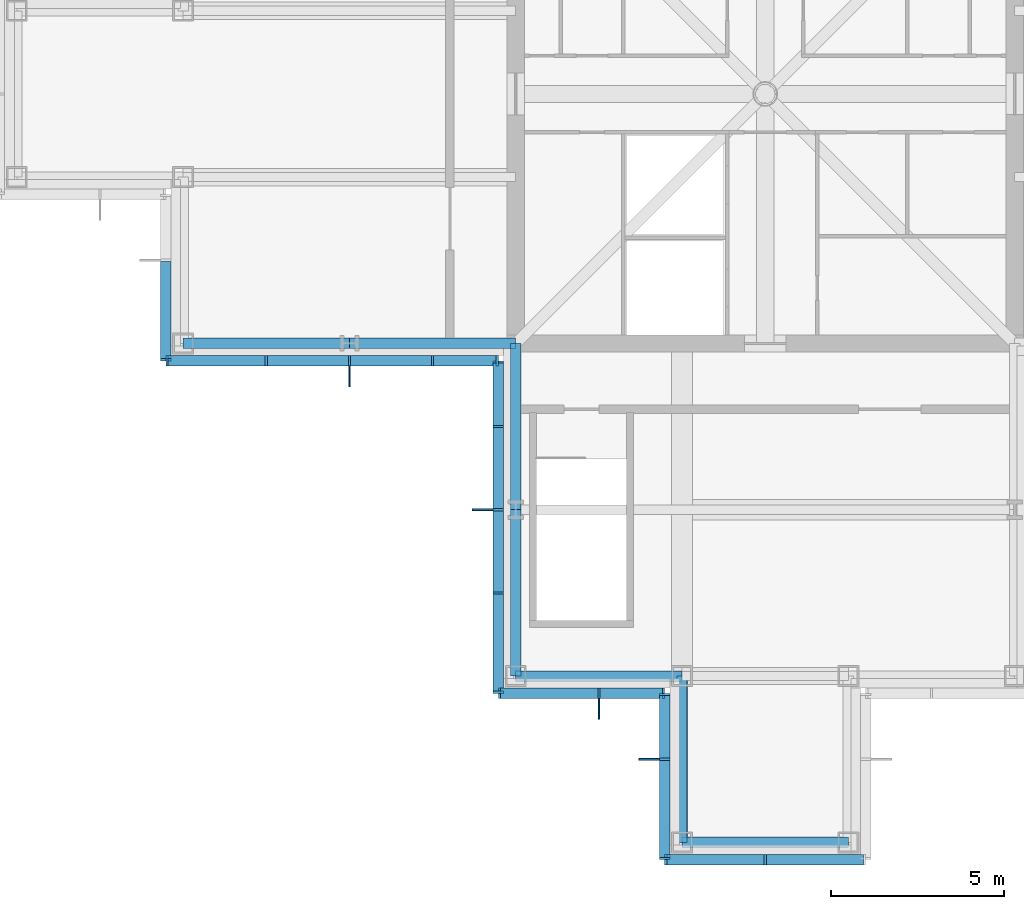
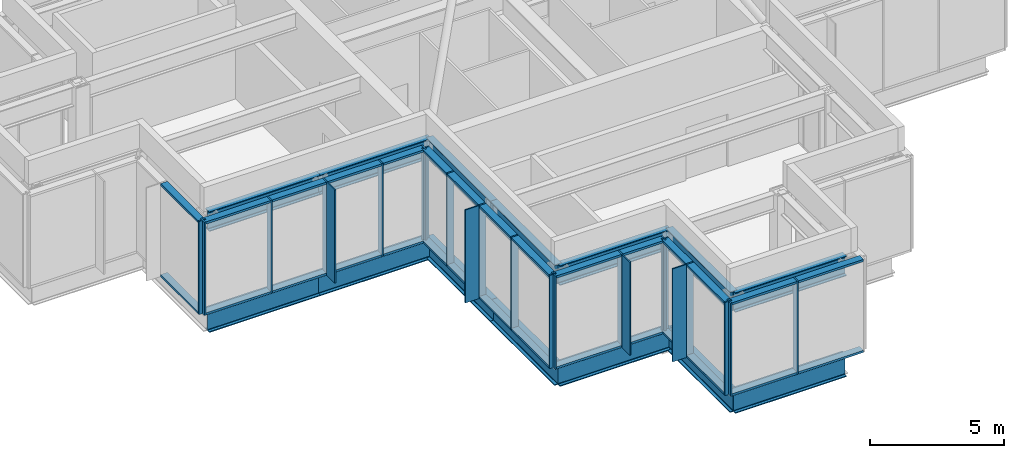
# One storey, part 2 of 10: 53 members, 14 beams, 6 elements without a shape of their own.
"""IFC4 building model written with IfcOpenShell, lengths in metres."""

from ifc_helpers import new_model, si_unit, direction, frame, origin, origin_2d, place, context, subcontext, project, spatial, rectangle, i_section, extrude, material, material_profile, profile_set, type_object, element, aggregate, save


model = new_model("IFC4")

# Units and contexts
model_context = context("Model", 3, precision=1e-05, world=origin(), true_north=direction((0.0, 1.0)))
body_context = subcontext(model_context, "Body", "Model", "MODEL_VIEW")
ifc_project = project(units=[si_unit("LENGTHUNIT", "METRE"), si_unit("AREAUNIT", "SQUARE_METRE"), si_unit("VOLUMEUNIT", "CUBIC_METRE"), si_unit("PLANEANGLEUNIT", "RADIAN"), si_unit("MASSUNIT", "GRAM", prefix="KILO")], contexts=[model_context])

# Site, building, storey
site_placement = place(None, origin())
site = spatial("IfcSite", under=ifc_project, at=site_placement, CompositionType="ELEMENT")
building_placement = place(site_placement, origin())
building = spatial("IfcBuilding", under=site, at=building_placement, Name="Kvirike Care Tower", CompositionType="ELEMENT")
storey_placement = place(building_placement, frame((0.0, 0.0, 248.0)))
storey = spatial("IfcBuildingStorey", under=building, at=storey_placement, Name="L68", CompositionType="ELEMENT", Elevation=248.0)

# Curtain wall, member
ifc_material_1 = material(Name="Anodised aluminium stick system", Category="aluminium")
curtain_wall_type = type_object("IfcCurtainWallType", Name="CW-L LOUVRED PLANT SCREEN", PredefinedType="NOTDEFINED", material=ifc_material_1)
curtain_wall_1_placement = place(storey_placement, origin())
curtain_wall_1 = element("IfcCurtainWall", 1, at=curtain_wall_1_placement, inside=storey, type_object=curtain_wall_type, Name="Curtain wall L68 face 13", PredefinedType="NOTDEFINED")
ifc_material_2 = material(Name="Bronze anodised aluminium fin", Category="aluminium")
ifc_material_profile_1 = material_profile(ifc_material_2, rectangle(XDim=0.050048828125, YDim=0.60009765625, at=origin_2d()), Name="BRONZE FIN 600")
ifc_profile_set_1 = profile_set([ifc_material_profile_1], Name="Bronze anodised aluminium fin")
member_type_1 = type_object("IfcMemberType", Name="BRONZE FIN 600", PredefinedType="USERDEFINED", material=ifc_profile_set_1)
member_1_placement = place(storey_placement, frame((9.60009765625, 27.85009765625, 0.0), z_axis=(0.0, 0.0, 1.0), x_axis=(1.0, 0.0, 0.0)))
member_1 = element("IfcMember", 2, at=member_1_placement, type_object=member_type_1, Name="Bronze fin L68 face 13.3", ObjectType="FIN", PredefinedType="USERDEFINED", context=body_context, shape_type="SweptSolid", body=[
    extrude(rectangle(XDim=0.050048828125, YDim=0.60009765625, at=origin_2d()), origin(), (0.0, 0.0, 1.0), 4.25),
])

curtain_wall_2_placement = place(storey_placement, origin())
curtain_wall_2 = element("IfcCurtainWall", 3, at=curtain_wall_2_placement, inside=storey, type_object=curtain_wall_type, Name="Curtain wall L68 face 14", PredefinedType="NOTDEFINED")
member_2_placement = place(storey_placement, frame((13.449951171875, 24.0, 0.0), z_axis=(0.0, 0.0, 1.0), x_axis=(0.0, -1.0, 0.0)))
member_2 = element("IfcMember", 4, at=member_2_placement, type_object=member_type_1, Name="Bronze fin L68 face 14.3", ObjectType="FIN", PredefinedType="USERDEFINED", context=body_context, shape_type="SweptSolid", body=[
    extrude(rectangle(XDim=0.050048828125, YDim=0.60009765625, at=origin_2d()), origin(), (0.0, 0.0, 1.0), 4.25),
])

curtain_wall_3_placement = place(storey_placement, origin())
curtain_wall_3 = element("IfcCurtainWall", 5, at=curtain_wall_3_placement, inside=storey, type_object=curtain_wall_type, Name="Curtain wall L68 face 15", PredefinedType="NOTDEFINED")
member_3_placement = place(storey_placement, frame((16.800048828125, 18.25, 0.0), z_axis=(0.0, 0.0, 1.0), x_axis=(1.0, 0.0, 0.0)))
member_3 = element("IfcMember", 6, at=member_3_placement, type_object=member_type_1, Name="Bronze fin L68 face 15.2", ObjectType="FIN", PredefinedType="USERDEFINED", context=body_context, shape_type="SweptSolid", body=[
    extrude(rectangle(XDim=0.050048828125, YDim=0.60009765625, at=origin_2d()), origin(), (0.0, 0.0, 1.0), 4.25),
])

curtain_wall_4_placement = place(storey_placement, origin())
curtain_wall_4 = element("IfcCurtainWall", 7, at=curtain_wall_4_placement, inside=storey, type_object=curtain_wall_type, Name="Curtain wall L68 face 16", PredefinedType="NOTDEFINED")
member_4_placement = place(storey_placement, frame((18.25, 16.800048828125, 0.0), z_axis=(0.0, 0.0, 1.0), x_axis=(0.0, -1.0, 0.0)))
member_4 = element("IfcMember", 8, at=member_4_placement, type_object=member_type_1, Name="Bronze fin L68 face 16.2", ObjectType="FIN", PredefinedType="USERDEFINED", context=body_context, shape_type="SweptSolid", body=[
    extrude(rectangle(XDim=0.050048828125, YDim=0.60009765625, at=origin_2d()), origin(), (0.0, 0.0, 1.0), 4.25),
])

curtain_wall_5_placement = place(storey_placement, origin())
curtain_wall_5 = element("IfcCurtainWall", 9, at=curtain_wall_5_placement, inside=storey, type_object=curtain_wall_type, Name="Curtain wall L68 face 12", PredefinedType="NOTDEFINED")
ifc_material_3 = material(Name="Bronze anodised aluminium mullion", Category="aluminium")
ifc_material_profile_2 = material_profile(ifc_material_3, rectangle(XDim=0.06494140625, YDim=0.300048828125, at=origin_2d()), Name="CW-L MULLION 65x300")
ifc_profile_set_2 = profile_set([ifc_material_profile_2], Name="Bronze anodised aluminium mullion")
member_type_2 = type_object("IfcMemberType", Name="CW-L MULLION 65x300", PredefinedType="MULLION", material=ifc_profile_set_2)
member_5_placement = place(storey_placement, frame((4.300048828125, 28.33251953125, 0.0), z_axis=(0.0, 0.0, 1.0), x_axis=(0.0, -1.0, 0.0)))
member_5 = element("IfcMember", 10, at=member_5_placement, type_object=member_type_2, Name="CW-L mullion L68 face 12.3", PredefinedType="MULLION", context=body_context, shape_type="SweptSolid", body=[
    extrude(rectangle(XDim=0.06494140625, YDim=0.300048828125, at=origin_2d()), origin(), (0.0, 0.0, 1.0), 4.25),
])

# Member
member_6_placement = place(storey_placement, frame((4.33251953125, 28.300048828125, 0.0), z_axis=(0.0, 0.0, 1.0), x_axis=(1.0, 0.0, 0.0)))
member_6 = element("IfcMember", 11, at=member_6_placement, type_object=member_type_2, Name="CW-L mullion L68 face 13.1", PredefinedType="MULLION", context=body_context, shape_type="SweptSolid", body=[
    extrude(rectangle(XDim=0.06494140625, YDim=0.300048828125, at=origin_2d()), origin(), (0.0, 0.0, 1.0), 4.25),
])

member_7_placement = place(storey_placement, frame((7.199951171875, 28.300048828125, 0.0), z_axis=(0.0, 0.0, 1.0), x_axis=(1.0, 0.0, 0.0)))
member_7 = element("IfcMember", 12, at=member_7_placement, type_object=member_type_2, Name="CW-L mullion L68 face 13.2", PredefinedType="MULLION", context=body_context, shape_type="SweptSolid", body=[
    extrude(rectangle(XDim=0.06494140625, YDim=0.300048828125, at=origin_2d()), origin(), (0.0, 0.0, 1.0), 4.25),
])

member_8_placement = place(storey_placement, frame((9.60009765625, 28.300048828125, 0.0), z_axis=(0.0, 0.0, 1.0), x_axis=(1.0, 0.0, 0.0)))
member_8 = element("IfcMember", 13, at=member_8_placement, type_object=member_type_2, Name="CW-L mullion L68 face 13.3", PredefinedType="MULLION", context=body_context, shape_type="SweptSolid", body=[
    extrude(rectangle(XDim=0.06494140625, YDim=0.300048828125, at=origin_2d()), origin(), (0.0, 0.0, 1.0), 4.25),
])

member_9_placement = place(storey_placement, frame((12.0, 28.300048828125, 0.0), z_axis=(0.0, 0.0, 1.0), x_axis=(1.0, 0.0, 0.0)))
member_9 = element("IfcMember", 14, at=member_9_placement, type_object=member_type_2, Name="CW-L mullion L68 face 13.4", PredefinedType="MULLION", context=body_context, shape_type="SweptSolid", body=[
    extrude(rectangle(XDim=0.06494140625, YDim=0.300048828125, at=origin_2d()), origin(), (0.0, 0.0, 1.0), 4.25),
])

member_10_placement = place(storey_placement, frame((13.867431640625, 28.300048828125, 0.0), z_axis=(0.0, 0.0, 1.0), x_axis=(1.0, 0.0, 0.0)))
member_10 = element("IfcMember", 15, at=member_10_placement, type_object=member_type_2, Name="CW-L mullion L68 face 13.5", PredefinedType="MULLION", context=body_context, shape_type="SweptSolid", body=[
    extrude(rectangle(XDim=0.06494140625, YDim=0.300048828125, at=origin_2d()), origin(), (0.0, 0.0, 1.0), 4.25),
])

member_11_placement = place(storey_placement, frame((13.89990234375, 28.267578125, 0.0), z_axis=(0.0, 0.0, 1.0), x_axis=(0.0, -1.0, 0.0)))
member_11 = element("IfcMember", 16, at=member_11_placement, type_object=member_type_2, Name="CW-L mullion L68 face 14.1", PredefinedType="MULLION", context=body_context, shape_type="SweptSolid", body=[
    extrude(rectangle(XDim=0.06494140625, YDim=0.300048828125, at=origin_2d()), origin(), (0.0, 0.0, 1.0), 4.25),
])

member_12_placement = place(storey_placement, frame((13.89990234375, 26.39990234375, 0.0), z_axis=(0.0, 0.0, 1.0), x_axis=(0.0, -1.0, 0.0)))
member_12 = element("IfcMember", 17, at=member_12_placement, type_object=member_type_2, Name="CW-L mullion L68 face 14.2", PredefinedType="MULLION", context=body_context, shape_type="SweptSolid", body=[
    extrude(rectangle(XDim=0.06494140625, YDim=0.300048828125, at=origin_2d()), origin(), (0.0, 0.0, 1.0), 4.25),
])

member_13_placement = place(storey_placement, frame((13.89990234375, 24.0, 0.0), z_axis=(0.0, 0.0, 1.0), x_axis=(0.0, -1.0, 0.0)))
member_13 = element("IfcMember", 18, at=member_13_placement, type_object=member_type_2, Name="CW-L mullion L68 face 14.3", PredefinedType="MULLION", context=body_context, shape_type="SweptSolid", body=[
    extrude(rectangle(XDim=0.06494140625, YDim=0.300048828125, at=origin_2d()), origin(), (0.0, 0.0, 1.0), 4.25),
])

member_14_placement = place(storey_placement, frame((13.89990234375, 21.60009765625, 0.0), z_axis=(0.0, 0.0, 1.0), x_axis=(0.0, -1.0, 0.0)))
member_14 = element("IfcMember", 19, at=member_14_placement, type_object=member_type_2, Name="CW-L mullion L68 face 14.4", PredefinedType="MULLION", context=body_context, shape_type="SweptSolid", body=[
    extrude(rectangle(XDim=0.06494140625, YDim=0.300048828125, at=origin_2d()), origin(), (0.0, 0.0, 1.0), 4.25),
])

member_15_placement = place(storey_placement, frame((13.89990234375, 18.732421875, 0.0), z_axis=(0.0, 0.0, 1.0), x_axis=(0.0, -1.0, 0.0)))
member_15 = element("IfcMember", 20, at=member_15_placement, type_object=member_type_2, Name="CW-L mullion L68 face 14.5", PredefinedType="MULLION", context=body_context, shape_type="SweptSolid", body=[
    extrude(rectangle(XDim=0.06494140625, YDim=0.300048828125, at=origin_2d()), origin(), (0.0, 0.0, 1.0), 4.25),
])

member_16_placement = place(storey_placement, frame((13.9326171875, 18.699951171875, 0.0), z_axis=(0.0, 0.0, 1.0), x_axis=(1.0, 0.0, 0.0)))
member_16 = element("IfcMember", 21, at=member_16_placement, type_object=member_type_2, Name="CW-L mullion L68 face 15.1", PredefinedType="MULLION", context=body_context, shape_type="SweptSolid", body=[
    extrude(rectangle(XDim=0.06494140625, YDim=0.300048828125, at=origin_2d()), origin(), (0.0, 0.0, 1.0), 4.25),
])

member_17_placement = place(storey_placement, frame((16.800048828125, 18.699951171875, 0.0), z_axis=(0.0, 0.0, 1.0), x_axis=(1.0, 0.0, 0.0)))
member_17 = element("IfcMember", 22, at=member_17_placement, type_object=member_type_2, Name="CW-L mullion L68 face 15.2", PredefinedType="MULLION", context=body_context, shape_type="SweptSolid", body=[
    extrude(rectangle(XDim=0.06494140625, YDim=0.300048828125, at=origin_2d()), origin(), (0.0, 0.0, 1.0), 4.25),
])

member_18_placement = place(storey_placement, frame((18.66748046875, 18.699951171875, 0.0), z_axis=(0.0, 0.0, 1.0), x_axis=(1.0, 0.0, 0.0)))
member_18 = element("IfcMember", 23, at=member_18_placement, type_object=member_type_2, Name="CW-L mullion L68 face 15.3", PredefinedType="MULLION", context=body_context, shape_type="SweptSolid", body=[
    extrude(rectangle(XDim=0.06494140625, YDim=0.300048828125, at=origin_2d()), origin(), (0.0, 0.0, 1.0), 4.25),
])

member_19_placement = place(storey_placement, frame((18.699951171875, 18.66748046875, 0.0), z_axis=(0.0, 0.0, 1.0), x_axis=(0.0, -1.0, 0.0)))
member_19 = element("IfcMember", 24, at=member_19_placement, type_object=member_type_2, Name="CW-L mullion L68 face 16.1", PredefinedType="MULLION", context=body_context, shape_type="SweptSolid", body=[
    extrude(rectangle(XDim=0.06494140625, YDim=0.300048828125, at=origin_2d()), origin(), (0.0, 0.0, 1.0), 4.25),
])

member_20_placement = place(storey_placement, frame((18.699951171875, 16.800048828125, 0.0), z_axis=(0.0, 0.0, 1.0), x_axis=(0.0, -1.0, 0.0)))
member_20 = element("IfcMember", 25, at=member_20_placement, type_object=member_type_2, Name="CW-L mullion L68 face 16.2", PredefinedType="MULLION", context=body_context, shape_type="SweptSolid", body=[
    extrude(rectangle(XDim=0.06494140625, YDim=0.300048828125, at=origin_2d()), origin(), (0.0, 0.0, 1.0), 4.25),
])

member_21_placement = place(storey_placement, frame((18.699951171875, 13.9326171875, 0.0), z_axis=(0.0, 0.0, 1.0), x_axis=(0.0, -1.0, 0.0)))
member_21 = element("IfcMember", 26, at=member_21_placement, type_object=member_type_2, Name="CW-L mullion L68 face 16.3", PredefinedType="MULLION", context=body_context, shape_type="SweptSolid", body=[
    extrude(rectangle(XDim=0.06494140625, YDim=0.300048828125, at=origin_2d()), origin(), (0.0, 0.0, 1.0), 4.25),
])

# Curtain wall, members
curtain_wall_6_placement = place(storey_placement, origin())
curtain_wall_6 = element("IfcCurtainWall", 27, at=curtain_wall_6_placement, inside=storey, type_object=curtain_wall_type, Name="Curtain wall L68 face 17", PredefinedType="NOTDEFINED")
member_22_placement = place(storey_placement, frame((18.732421875, 13.89990234375, 0.0), z_axis=(0.0, 0.0, 1.0), x_axis=(1.0, 0.0, 0.0)))
member_22 = element("IfcMember", 28, at=member_22_placement, type_object=member_type_2, Name="CW-L mullion L68 face 17.1", PredefinedType="MULLION", context=body_context, shape_type="SweptSolid", body=[
    extrude(rectangle(XDim=0.06494140625, YDim=0.300048828125, at=origin_2d()), origin(), (0.0, 0.0, 1.0), 4.25),
])
member_23_placement = place(storey_placement, frame((21.60009765625, 13.89990234375, 0.0), z_axis=(0.0, 0.0, 1.0), x_axis=(1.0, 0.0, 0.0)))
member_23 = element("IfcMember", 29, at=member_23_placement, type_object=member_type_2, Name="CW-L mullion L68 face 17.2", PredefinedType="MULLION", context=body_context, shape_type="SweptSolid", body=[
    extrude(rectangle(XDim=0.06494140625, YDim=0.300048828125, at=origin_2d()), origin(), (0.0, 0.0, 1.0), 4.25),
])

# Member
ifc_material_4 = material(Name="Bronze anodised aluminium transom", Category="aluminium")
ifc_material_profile_3 = material_profile(ifc_material_4, rectangle(XDim=0.300048828125, YDim=0.10009765625, at=origin_2d()), Name="CW-L TRANSOM 300x100")
ifc_profile_set_3 = profile_set([ifc_material_profile_3], Name="Bronze anodised aluminium transom")
member_type_3 = type_object("IfcMemberType", Name="CW-L TRANSOM 300x100", PredefinedType="USERDEFINED", material=ifc_profile_set_3)
member_24_placement = place(storey_placement, frame((4.300048828125, 31.16748046875, 0.050048828125), z_axis=(0.0, -1.0, 0.0), x_axis=(1.0, 0.0, 0.0)))
member_24 = element("IfcMember", 30, at=member_24_placement, type_object=member_type_3, Name="CW-L sill transom L68 face 12.2", ObjectType="TRANSOM", PredefinedType="USERDEFINED", context=body_context, shape_type="SweptSolid", body=[
    extrude(rectangle(XDim=0.300048828125, YDim=0.10009765625, at=origin_2d()), origin(), (0.0, 0.0, 1.0), 2.802490234375),
])

member_25_placement = place(storey_placement, frame((4.300048828125, 31.16748046875, 4.199951171875), z_axis=(0.0, -1.0, 0.0), x_axis=(1.0, 0.0, 0.0)))
member_25 = element("IfcMember", 31, at=member_25_placement, type_object=member_type_3, Name="CW-L head transom L68 face 12.2", ObjectType="TRANSOM", PredefinedType="USERDEFINED", context=body_context, shape_type="SweptSolid", body=[
    extrude(rectangle(XDim=0.300048828125, YDim=0.10009765625, at=origin_2d()), origin(), (0.0, 0.0, 1.0), 2.802490234375),
])

aggregate(curtain_wall_5, [member_5, member_24, member_25])

member_26_placement = place(storey_placement, frame((4.364990234375, 28.300048828125, 0.050048828125), z_axis=(1.0, 0.0, 0.0), x_axis=(0.0, 1.0, 0.0)))
member_26 = element("IfcMember", 32, at=member_26_placement, type_object=member_type_3, Name="CW-L sill transom L68 face 13.1", ObjectType="TRANSOM", PredefinedType="USERDEFINED", context=body_context, shape_type="SweptSolid", body=[
    extrude(rectangle(XDim=0.300048828125, YDim=0.10009765625, at=origin_2d()), origin(), (0.0, 0.0, 1.0), 2.802490234375),
])

member_27_placement = place(storey_placement, frame((4.364990234375, 28.300048828125, 4.199951171875), z_axis=(1.0, 0.0, 0.0), x_axis=(0.0, 1.0, 0.0)))
member_27 = element("IfcMember", 33, at=member_27_placement, type_object=member_type_3, Name="CW-L head transom L68 face 13.1", ObjectType="TRANSOM", PredefinedType="USERDEFINED", context=body_context, shape_type="SweptSolid", body=[
    extrude(rectangle(XDim=0.300048828125, YDim=0.10009765625, at=origin_2d()), origin(), (0.0, 0.0, 1.0), 2.802490234375),
])

member_28_placement = place(storey_placement, frame((7.232421875, 28.300048828125, 0.050048828125), z_axis=(1.0, 0.0, 0.0), x_axis=(0.0, 1.0, 0.0)))
member_28 = element("IfcMember", 34, at=member_28_placement, type_object=member_type_3, Name="CW-L sill transom L68 face 13.2", ObjectType="TRANSOM", PredefinedType="USERDEFINED", context=body_context, shape_type="SweptSolid", body=[
    extrude(rectangle(XDim=0.300048828125, YDim=0.10009765625, at=origin_2d()), origin(), (0.0, 0.0, 1.0), 2.3349609375),
])

member_29_placement = place(storey_placement, frame((7.232421875, 28.300048828125, 4.199951171875), z_axis=(1.0, 0.0, 0.0), x_axis=(0.0, 1.0, 0.0)))
member_29 = element("IfcMember", 35, at=member_29_placement, type_object=member_type_3, Name="CW-L head transom L68 face 13.2", ObjectType="TRANSOM", PredefinedType="USERDEFINED", context=body_context, shape_type="SweptSolid", body=[
    extrude(rectangle(XDim=0.300048828125, YDim=0.10009765625, at=origin_2d()), origin(), (0.0, 0.0, 1.0), 2.3349609375),
])

member_30_placement = place(storey_placement, frame((9.632568359375, 28.300048828125, 0.050048828125), z_axis=(1.0, 0.0, 0.0), x_axis=(0.0, 1.0, 0.0)))
member_30 = element("IfcMember", 36, at=member_30_placement, type_object=member_type_3, Name="CW-L sill transom L68 face 13.3", ObjectType="TRANSOM", PredefinedType="USERDEFINED", context=body_context, shape_type="SweptSolid", body=[
    extrude(rectangle(XDim=0.300048828125, YDim=0.10009765625, at=origin_2d()), origin(), (0.0, 0.0, 1.0), 2.3349609375),
])

member_31_placement = place(storey_placement, frame((9.632568359375, 28.300048828125, 4.199951171875), z_axis=(1.0, 0.0, 0.0), x_axis=(0.0, 1.0, 0.0)))
member_31 = element("IfcMember", 37, at=member_31_placement, type_object=member_type_3, Name="CW-L head transom L68 face 13.3", ObjectType="TRANSOM", PredefinedType="USERDEFINED", context=body_context, shape_type="SweptSolid", body=[
    extrude(rectangle(XDim=0.300048828125, YDim=0.10009765625, at=origin_2d()), origin(), (0.0, 0.0, 1.0), 2.3349609375),
])

member_32_placement = place(storey_placement, frame((12.032470703125, 28.300048828125, 0.050048828125), z_axis=(1.0, 0.0, 0.0), x_axis=(0.0, 1.0, 0.0)))
member_32 = element("IfcMember", 38, at=member_32_placement, type_object=member_type_3, Name="CW-L sill transom L68 face 13.4", ObjectType="TRANSOM", PredefinedType="USERDEFINED", context=body_context, shape_type="SweptSolid", body=[
    extrude(rectangle(XDim=0.300048828125, YDim=0.10009765625, at=origin_2d()), origin(), (0.0, 0.0, 1.0), 1.802490234375),
])

member_33_placement = place(storey_placement, frame((12.032470703125, 28.300048828125, 4.199951171875), z_axis=(1.0, 0.0, 0.0), x_axis=(0.0, 1.0, 0.0)))
member_33 = element("IfcMember", 39, at=member_33_placement, type_object=member_type_3, Name="CW-L head transom L68 face 13.4", ObjectType="TRANSOM", PredefinedType="USERDEFINED", context=body_context, shape_type="SweptSolid", body=[
    extrude(rectangle(XDim=0.300048828125, YDim=0.10009765625, at=origin_2d()), origin(), (0.0, 0.0, 1.0), 1.802490234375),
])

aggregate(curtain_wall_1, [member_6, member_7, member_8, member_1, member_9, member_10, member_26, member_27, member_28, member_29, member_30, member_31, member_32, member_33])

member_34_placement = place(storey_placement, frame((13.89990234375, 28.235107421875, 0.050048828125), z_axis=(0.0, -1.0, 0.0), x_axis=(1.0, 0.0, 0.0)))
member_34 = element("IfcMember", 40, at=member_34_placement, type_object=member_type_3, Name="CW-L sill transom L68 face 14.1", ObjectType="TRANSOM", PredefinedType="USERDEFINED", context=body_context, shape_type="SweptSolid", body=[
    extrude(rectangle(XDim=0.300048828125, YDim=0.10009765625, at=origin_2d()), origin(), (0.0, 0.0, 1.0), 1.802490234375),
])

member_35_placement = place(storey_placement, frame((13.89990234375, 28.235107421875, 4.199951171875), z_axis=(0.0, -1.0, 0.0), x_axis=(1.0, 0.0, 0.0)))
member_35 = element("IfcMember", 41, at=member_35_placement, type_object=member_type_3, Name="CW-L head transom L68 face 14.1", ObjectType="TRANSOM", PredefinedType="USERDEFINED", context=body_context, shape_type="SweptSolid", body=[
    extrude(rectangle(XDim=0.300048828125, YDim=0.10009765625, at=origin_2d()), origin(), (0.0, 0.0, 1.0), 1.802490234375),
])

member_36_placement = place(storey_placement, frame((13.89990234375, 26.367431640625, 0.050048828125), z_axis=(0.0, -1.0, 0.0), x_axis=(1.0, 0.0, 0.0)))
member_36 = element("IfcMember", 42, at=member_36_placement, type_object=member_type_3, Name="CW-L sill transom L68 face 14.2", ObjectType="TRANSOM", PredefinedType="USERDEFINED", context=body_context, shape_type="SweptSolid", body=[
    extrude(rectangle(XDim=0.300048828125, YDim=0.10009765625, at=origin_2d()), origin(), (0.0, 0.0, 1.0), 2.3349609375),
])

member_37_placement = place(storey_placement, frame((13.89990234375, 26.367431640625, 4.199951171875), z_axis=(0.0, -1.0, 0.0), x_axis=(1.0, 0.0, 0.0)))
member_37 = element("IfcMember", 43, at=member_37_placement, type_object=member_type_3, Name="CW-L head transom L68 face 14.2", ObjectType="TRANSOM", PredefinedType="USERDEFINED", context=body_context, shape_type="SweptSolid", body=[
    extrude(rectangle(XDim=0.300048828125, YDim=0.10009765625, at=origin_2d()), origin(), (0.0, 0.0, 1.0), 2.3349609375),
])

member_38_placement = place(storey_placement, frame((13.89990234375, 23.967529296875, 0.050048828125), z_axis=(0.0, -1.0, 0.0), x_axis=(1.0, 0.0, 0.0)))
member_38 = element("IfcMember", 44, at=member_38_placement, type_object=member_type_3, Name="CW-L sill transom L68 face 14.3", ObjectType="TRANSOM", PredefinedType="USERDEFINED", context=body_context, shape_type="SweptSolid", body=[
    extrude(rectangle(XDim=0.300048828125, YDim=0.10009765625, at=origin_2d()), origin(), (0.0, 0.0, 1.0), 2.3349609375),
])

member_39_placement = place(storey_placement, frame((13.89990234375, 23.967529296875, 4.199951171875), z_axis=(0.0, -1.0, 0.0), x_axis=(1.0, 0.0, 0.0)))
member_39 = element("IfcMember", 45, at=member_39_placement, type_object=member_type_3, Name="CW-L head transom L68 face 14.3", ObjectType="TRANSOM", PredefinedType="USERDEFINED", context=body_context, shape_type="SweptSolid", body=[
    extrude(rectangle(XDim=0.300048828125, YDim=0.10009765625, at=origin_2d()), origin(), (0.0, 0.0, 1.0), 2.3349609375),
])

member_40_placement = place(storey_placement, frame((13.89990234375, 21.5673828125, 0.050048828125), z_axis=(0.0, -1.0, 0.0), x_axis=(1.0, 0.0, 0.0)))
member_40 = element("IfcMember", 46, at=member_40_placement, type_object=member_type_3, Name="CW-L sill transom L68 face 14.4", ObjectType="TRANSOM", PredefinedType="USERDEFINED", context=body_context, shape_type="SweptSolid", body=[
    extrude(rectangle(XDim=0.300048828125, YDim=0.10009765625, at=origin_2d()), origin(), (0.0, 0.0, 1.0), 2.802490234375),
])

member_41_placement = place(storey_placement, frame((13.89990234375, 21.5673828125, 4.199951171875), z_axis=(0.0, -1.0, 0.0), x_axis=(1.0, 0.0, 0.0)))
member_41 = element("IfcMember", 47, at=member_41_placement, type_object=member_type_3, Name="CW-L head transom L68 face 14.4", ObjectType="TRANSOM", PredefinedType="USERDEFINED", context=body_context, shape_type="SweptSolid", body=[
    extrude(rectangle(XDim=0.300048828125, YDim=0.10009765625, at=origin_2d()), origin(), (0.0, 0.0, 1.0), 2.802490234375),
])

aggregate(curtain_wall_2, [member_11, member_12, member_13, member_2, member_14, member_15, member_34, member_35, member_36, member_37, member_38, member_39, member_40, member_41])

member_42_placement = place(storey_placement, frame((13.965087890625, 18.699951171875, 0.050048828125), z_axis=(1.0, 0.0, 0.0), x_axis=(0.0, 1.0, 0.0)))
member_42 = element("IfcMember", 48, at=member_42_placement, type_object=member_type_3, Name="CW-L sill transom L68 face 15.1", ObjectType="TRANSOM", PredefinedType="USERDEFINED", context=body_context, shape_type="SweptSolid", body=[
    extrude(rectangle(XDim=0.300048828125, YDim=0.10009765625, at=origin_2d()), origin(), (0.0, 0.0, 1.0), 2.802490234375),
])

member_43_placement = place(storey_placement, frame((13.965087890625, 18.699951171875, 4.199951171875), z_axis=(1.0, 0.0, 0.0), x_axis=(0.0, 1.0, 0.0)))
member_43 = element("IfcMember", 49, at=member_43_placement, type_object=member_type_3, Name="CW-L head transom L68 face 15.1", ObjectType="TRANSOM", PredefinedType="USERDEFINED", context=body_context, shape_type="SweptSolid", body=[
    extrude(rectangle(XDim=0.300048828125, YDim=0.10009765625, at=origin_2d()), origin(), (0.0, 0.0, 1.0), 2.802490234375),
])

member_44_placement = place(storey_placement, frame((16.83251953125, 18.699951171875, 0.050048828125), z_axis=(1.0, 0.0, 0.0), x_axis=(0.0, 1.0, 0.0)))
member_44 = element("IfcMember", 50, at=member_44_placement, type_object=member_type_3, Name="CW-L sill transom L68 face 15.2", ObjectType="TRANSOM", PredefinedType="USERDEFINED", context=body_context, shape_type="SweptSolid", body=[
    extrude(rectangle(XDim=0.300048828125, YDim=0.10009765625, at=origin_2d()), origin(), (0.0, 0.0, 1.0), 1.802490234375),
])

member_45_placement = place(storey_placement, frame((16.83251953125, 18.699951171875, 4.199951171875), z_axis=(1.0, 0.0, 0.0), x_axis=(0.0, 1.0, 0.0)))
member_45 = element("IfcMember", 51, at=member_45_placement, type_object=member_type_3, Name="CW-L head transom L68 face 15.2", ObjectType="TRANSOM", PredefinedType="USERDEFINED", context=body_context, shape_type="SweptSolid", body=[
    extrude(rectangle(XDim=0.300048828125, YDim=0.10009765625, at=origin_2d()), origin(), (0.0, 0.0, 1.0), 1.802490234375),
])

aggregate(curtain_wall_3, [member_16, member_17, member_3, member_18, member_42, member_43, member_44, member_45])

member_46_placement = place(storey_placement, frame((18.699951171875, 18.635009765625, 0.050048828125), z_axis=(0.0, -1.0, 0.0), x_axis=(1.0, 0.0, 0.0)))
member_46 = element("IfcMember", 52, at=member_46_placement, type_object=member_type_3, Name="CW-L sill transom L68 face 16.1", ObjectType="TRANSOM", PredefinedType="USERDEFINED", context=body_context, shape_type="SweptSolid", body=[
    extrude(rectangle(XDim=0.300048828125, YDim=0.10009765625, at=origin_2d()), origin(), (0.0, 0.0, 1.0), 1.802490234375),
])

member_47_placement = place(storey_placement, frame((18.699951171875, 18.635009765625, 4.199951171875), z_axis=(0.0, -1.0, 0.0), x_axis=(1.0, 0.0, 0.0)))
member_47 = element("IfcMember", 53, at=member_47_placement, type_object=member_type_3, Name="CW-L head transom L68 face 16.1", ObjectType="TRANSOM", PredefinedType="USERDEFINED", context=body_context, shape_type="SweptSolid", body=[
    extrude(rectangle(XDim=0.300048828125, YDim=0.10009765625, at=origin_2d()), origin(), (0.0, 0.0, 1.0), 1.802490234375),
])

member_48_placement = place(storey_placement, frame((18.699951171875, 16.767578125, 0.050048828125), z_axis=(0.0, -1.0, 0.0), x_axis=(1.0, 0.0, 0.0)))
member_48 = element("IfcMember", 54, at=member_48_placement, type_object=member_type_3, Name="CW-L sill transom L68 face 16.2", ObjectType="TRANSOM", PredefinedType="USERDEFINED", context=body_context, shape_type="SweptSolid", body=[
    extrude(rectangle(XDim=0.300048828125, YDim=0.10009765625, at=origin_2d()), origin(), (0.0, 0.0, 1.0), 2.802490234375),
])

member_49_placement = place(storey_placement, frame((18.699951171875, 16.767578125, 4.199951171875), z_axis=(0.0, -1.0, 0.0), x_axis=(1.0, 0.0, 0.0)))
member_49 = element("IfcMember", 55, at=member_49_placement, type_object=member_type_3, Name="CW-L head transom L68 face 16.2", ObjectType="TRANSOM", PredefinedType="USERDEFINED", context=body_context, shape_type="SweptSolid", body=[
    extrude(rectangle(XDim=0.300048828125, YDim=0.10009765625, at=origin_2d()), origin(), (0.0, 0.0, 1.0), 2.802490234375),
])

aggregate(curtain_wall_4, [member_19, member_20, member_4, member_21, member_46, member_47, member_48, member_49])

member_50_placement = place(storey_placement, frame((18.764892578125, 13.89990234375, 0.050048828125), z_axis=(1.0, 0.0, 0.0), x_axis=(0.0, 1.0, 0.0)))
member_50 = element("IfcMember", 56, at=member_50_placement, type_object=member_type_3, Name="CW-L sill transom L68 face 17.1", ObjectType="TRANSOM", PredefinedType="USERDEFINED", context=body_context, shape_type="SweptSolid", body=[
    extrude(rectangle(XDim=0.300048828125, YDim=0.10009765625, at=origin_2d()), origin(), (0.0, 0.0, 1.0), 2.802490234375),
])

member_51_placement = place(storey_placement, frame((18.764892578125, 13.89990234375, 4.199951171875), z_axis=(1.0, 0.0, 0.0), x_axis=(0.0, 1.0, 0.0)))
member_51 = element("IfcMember", 57, at=member_51_placement, type_object=member_type_3, Name="CW-L head transom L68 face 17.1", ObjectType="TRANSOM", PredefinedType="USERDEFINED", context=body_context, shape_type="SweptSolid", body=[
    extrude(rectangle(XDim=0.300048828125, YDim=0.10009765625, at=origin_2d()), origin(), (0.0, 0.0, 1.0), 2.802490234375),
])

member_52_placement = place(storey_placement, frame((21.632568359375, 13.89990234375, 0.050048828125), z_axis=(1.0, 0.0, 0.0), x_axis=(0.0, 1.0, 0.0)))
member_52 = element("IfcMember", 58, at=member_52_placement, type_object=member_type_3, Name="CW-L sill transom L68 face 17.2", ObjectType="TRANSOM", PredefinedType="USERDEFINED", context=body_context, shape_type="SweptSolid", body=[
    extrude(rectangle(XDim=0.300048828125, YDim=0.10009765625, at=origin_2d()), origin(), (0.0, 0.0, 1.0), 2.802490234375),
])

member_53_placement = place(storey_placement, frame((21.632568359375, 13.89990234375, 4.199951171875), z_axis=(1.0, 0.0, 0.0), x_axis=(0.0, 1.0, 0.0)))
member_53 = element("IfcMember", 59, at=member_53_placement, type_object=member_type_3, Name="CW-L head transom L68 face 17.2", ObjectType="TRANSOM", PredefinedType="USERDEFINED", context=body_context, shape_type="SweptSolid", body=[
    extrude(rectangle(XDim=0.300048828125, YDim=0.10009765625, at=origin_2d()), origin(), (0.0, 0.0, 1.0), 2.802490234375),
])

aggregate(curtain_wall_6, [member_22, member_23, member_50, member_51, member_52, member_53])

# Beams
ifc_material_5 = material(Name="Steel S355", Category="steel")
ifc_material_profile_4 = material_profile(ifc_material_5, i_section(OverallWidth=0.302001953125, OverallDepth=1.008056640625, WebThickness=0.02099609375, FlangeThickness=0.0400390625, FilletRadius=0.030029296875, at=origin_2d()), Name="HE 1000 M")
ifc_profile_set_4 = profile_set([ifc_material_profile_4], Name="Steel S355")
beam_type_1 = type_object("IfcBeamType", Name="SPANDREL HE 1000 M", PredefinedType="SPANDREL", material=ifc_profile_set_4)
for number, where, z_axis, x_axis, name in (
    (60, (19.199951171875, 14.39990234375, -0.75390625), (1.0, 0.0, 0.0), (0.0, 1.0, 0.0), "Spandrel D7-D8 L68"),
    (61, (14.39990234375, 19.199951171875, -0.75390625), (1.0, 0.0, 0.0), (0.0, 1.0, 0.0), "Spandrel E6-E7 L68"),
    (62, (4.800048828125, 28.800048828125, -0.75390625), (1.0, 0.0, 0.0), (0.0, 1.0, 0.0), "Spandrel G4-G5 L68"),
):
    element("IfcBeam", number, at=place(storey_placement, frame(where, z_axis=z_axis, x_axis=x_axis)), inside=storey, type_object=beam_type_1, Name=name, PredefinedType="SPANDREL", context=body_context, shape_type="SweptSolid", body=[
        extrude(i_section(OverallWidth=0.302001953125, OverallDepth=1.008056640625, WebThickness=0.02099609375, FlangeThickness=0.0400390625, FilletRadius=0.030029296875, at=origin_2d()), origin(), (0.0, 0.0, 1.0), 4.800048828125),
    ])
beam_1_placement = place(storey_placement, frame((9.60009765625, 28.800048828125, -0.75390625), z_axis=(1.0, 0.0, 0.0), x_axis=(0.0, 1.0, 0.0)))
element("IfcBeam", 63, at=beam_1_placement, inside=storey, type_object=beam_type_1, Name="Spandrel G5-G6 L68", PredefinedType="SPANDREL", context=body_context, shape_type="SweptSolid", body=[
    extrude(i_section(OverallWidth=0.302001953125, OverallDepth=1.008056640625, WebThickness=0.02099609375, FlangeThickness=0.0400390625, FilletRadius=0.030029296875, at=origin_2d()), origin(), (0.0, 0.0, 1.0), 4.7998046875),
])
for number, where, z_axis, x_axis, name in (
    (64, (14.39990234375, 19.199951171875, -0.75390625), (0.0, 1.0, 0.0), (-1.0, 0.0, 0.0), "Spandrel E6-F6 L68"),
    (65, (14.39990234375, 24.0, -0.75390625), (0.0, 1.0, 0.0), (-1.0, 0.0, 0.0), "Spandrel F6-G6 L68"),
    (66, (19.199951171875, 14.39990234375, -0.75390625), (0.0, 1.0, 0.0), (-1.0, 0.0, 0.0), "Spandrel D7-E7 L68"),
):
    element("IfcBeam", number, at=place(storey_placement, frame(where, z_axis=z_axis, x_axis=x_axis)), inside=storey, type_object=beam_type_1, Name=name, PredefinedType="SPANDREL", context=body_context, shape_type="SweptSolid", body=[
        extrude(i_section(OverallWidth=0.302001953125, OverallDepth=1.008056640625, WebThickness=0.02099609375, FlangeThickness=0.0400390625, FilletRadius=0.030029296875, at=origin_2d()), origin(), (0.0, 0.0, 1.0), 4.800048828125),
    ])
ifc_material_6 = material(Name="Steel S355", Category="steel")
ifc_material_profile_5 = material_profile(ifc_material_6, i_section(OverallWidth=0.300048828125, OverallDepth=0.89990234375, WebThickness=0.0185546875, FlangeThickness=0.034912109375, FilletRadius=0.030029296875, at=origin_2d()), Name="HE 900 B")
ifc_profile_set_5 = profile_set([ifc_material_profile_5], Name="Steel S355")
beam_type_2 = type_object("IfcBeamType", Name="SPANDREL HE 900 B", PredefinedType="SPANDREL", material=ifc_profile_set_5)
for number, where, z_axis, x_axis, name in (
    (67, (19.199951171875, 14.39990234375, 3.800048828125), (1.0, 0.0, 0.0), (0.0, 1.0, 0.0), "Spandrel D7-D8 roof"),
    (68, (14.39990234375, 19.199951171875, 3.800048828125), (1.0, 0.0, 0.0), (0.0, 1.0, 0.0), "Spandrel E6-E7 roof"),
    (69, (4.800048828125, 28.800048828125, 3.800048828125), (1.0, 0.0, 0.0), (0.0, 1.0, 0.0), "Spandrel G4-G5 roof"),
):
    element("IfcBeam", number, at=place(storey_placement, frame(where, z_axis=z_axis, x_axis=x_axis)), inside=storey, type_object=beam_type_2, Name=name, PredefinedType="SPANDREL", context=body_context, shape_type="SweptSolid", body=[
        extrude(i_section(OverallWidth=0.300048828125, OverallDepth=0.89990234375, WebThickness=0.0185546875, FlangeThickness=0.034912109375, FilletRadius=0.030029296875, at=origin_2d()), origin(), (0.0, 0.0, 1.0), 4.800048828125),
    ])
beam_2_placement = place(storey_placement, frame((9.60009765625, 28.800048828125, 3.800048828125), z_axis=(1.0, 0.0, 0.0), x_axis=(0.0, 1.0, 0.0)))
element("IfcBeam", 70, at=beam_2_placement, inside=storey, type_object=beam_type_2, Name="Spandrel G5-G6 roof", PredefinedType="SPANDREL", context=body_context, shape_type="SweptSolid", body=[
    extrude(i_section(OverallWidth=0.300048828125, OverallDepth=0.89990234375, WebThickness=0.0185546875, FlangeThickness=0.034912109375, FilletRadius=0.030029296875, at=origin_2d()), origin(), (0.0, 0.0, 1.0), 4.7998046875),
])
for number, where, z_axis, x_axis, name in (
    (71, (14.39990234375, 19.199951171875, 3.800048828125), (0.0, 1.0, 0.0), (-1.0, 0.0, 0.0), "Spandrel E6-F6 roof"),
    (72, (14.39990234375, 24.0, 3.800048828125), (0.0, 1.0, 0.0), (-1.0, 0.0, 0.0), "Spandrel F6-G6 roof"),
    (73, (19.199951171875, 14.39990234375, 3.800048828125), (0.0, 1.0, 0.0), (-1.0, 0.0, 0.0), "Spandrel D7-E7 roof"),
):
    element("IfcBeam", number, at=place(storey_placement, frame(where, z_axis=z_axis, x_axis=x_axis)), inside=storey, type_object=beam_type_2, Name=name, PredefinedType="SPANDREL", context=body_context, shape_type="SweptSolid", body=[
        extrude(i_section(OverallWidth=0.300048828125, OverallDepth=0.89990234375, WebThickness=0.0185546875, FlangeThickness=0.034912109375, FilletRadius=0.030029296875, at=origin_2d()), origin(), (0.0, 0.0, 1.0), 4.800048828125),
    ])

save(model, "model.ifc")
